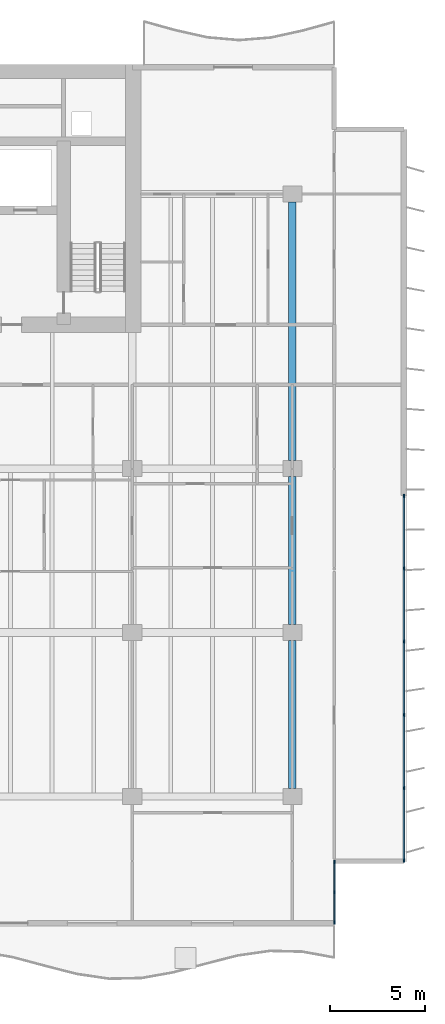
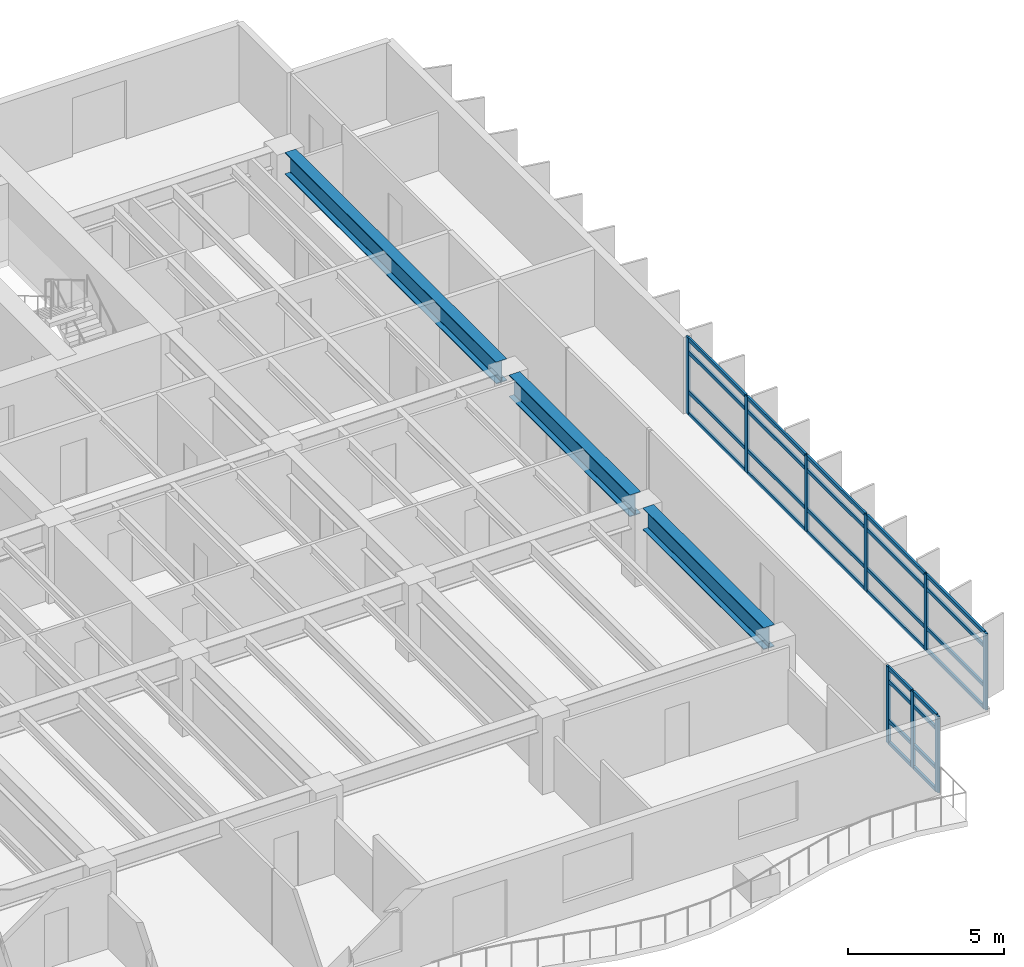
# One storey, part 4 of 19: 37 members, 3 beams, 2 elements without a shape of their own.
"""IFC4 building model written with IfcOpenShell, lengths in metres."""

from ifc_helpers import new_model, si_unit, direction, frame, origin, origin_2d, place, context, subcontext, project, spatial, rectangle, i_section, extrude, material, layer, layer_set, material_profile, profile_set, type_object, element, aggregate, save


model = new_model("IFC4")

# Units and contexts
model_context = context("Model", 3, precision=1e-05, world=origin(), true_north=direction((0.0, 1.0)))
body_context = subcontext(model_context, "Body", "Model", "MODEL_VIEW")
ifc_project = project(units=[si_unit("LENGTHUNIT", "METRE"), si_unit("AREAUNIT", "SQUARE_METRE"), si_unit("VOLUMEUNIT", "CUBIC_METRE"), si_unit("PLANEANGLEUNIT", "RADIAN"), si_unit("MASSUNIT", "GRAM", prefix="KILO")], contexts=[model_context])

# Site, building, storey
site_placement = place(None, origin())
site = spatial("IfcSite", under=ifc_project, at=site_placement, CompositionType="ELEMENT")
building_placement = place(site_placement, origin())
building = spatial("IfcBuilding", under=site, at=building_placement, Name="Caelmar Bay Residences", CompositionType="ELEMENT")
storey_placement = place(building_placement, frame((0.0, 0.0, 94.5)))
storey = spatial("IfcBuildingStorey", under=building, at=storey_placement, Name="L25", CompositionType="ELEMENT", Elevation=94.5)

# Beams
ifc_material_1 = material(Name="Steel ASTM A992 Grade 50", Category="steel")
ifc_material_profile_1 = material_profile(ifc_material_1, i_section(OverallWidth=0.40087890625, OverallDepth=0.861083984375, WebThickness=0.019775390625, FlangeThickness=0.032470703125, FilletRadius=0.017822265625, at=origin_2d()), Name="W33X221")
ifc_profile_set_1 = profile_set([ifc_material_profile_1], Name="Steel ASTM A992 Grade 50")
beam_type = type_object("IfcBeamType", Name="BM-GRD-W33X221", PredefinedType="BEAM", material=ifc_profile_set_1)
for number, where, z_axis, x_axis, name in (
    (1, (67.89990234375, 12.614990234375, 2.569580078125), (0.0, 1.0, 0.0), (-1.0, 0.0, 0.0), "L25 North-South Girder X=67.90 (12.2-20.8)"),
    (2, (67.89990234375, 21.215087890625, 2.569580078125), (0.0, 1.0, 0.0), (-1.0, 0.0, 0.0), "L25 North-South Girder X=67.90 (20.8-29.4)"),
):
    element("IfcBeam", number, at=place(storey_placement, frame(where, z_axis=z_axis, x_axis=x_axis)), inside=storey, type_object=beam_type, Name=name, PredefinedType="BEAM", context=body_context, shape_type="SweptSolid", body=[
        extrude(i_section(OverallWidth=0.40087890625, OverallDepth=0.861083984375, WebThickness=0.019775390625, FlangeThickness=0.032470703125, FilletRadius=0.017822265625, at=origin_2d()), origin(), (0.0, 0.0, 1.0), 7.77001953125),
    ])
beam_placement = place(storey_placement, frame((67.89990234375, 29.81494140625, 2.569580078125), z_axis=(0.0, 1.0, 0.0), x_axis=(-1.0, 0.0, 0.0)))
element("IfcBeam", 3, at=beam_placement, inside=storey, type_object=beam_type, Name="L25 North-South Girder X=67.90 (29.4-43.8)", PredefinedType="BEAM", context=body_context, shape_type="SweptSolid", body=[
    extrude(i_section(OverallWidth=0.40087890625, OverallDepth=0.861083984375, WebThickness=0.019775390625, FlangeThickness=0.032470703125, FilletRadius=0.017822265625, at=origin_2d()), origin(), (0.0, 0.0, 1.0), 13.570068359375),
])

# Curtain wall, members
ifc_material_2 = material(Name="Anodised bronze aluminium 6063-T6 and laminated glass", Category="aluminium")
ifc_layer_1 = layer(ifc_material_2, 0.179931640625)
ifc_layer_set_1 = layer_set([ifc_layer_1], Name="Anodised bronze aluminium 6063-T6 and laminated glass")
curtain_wall_type_1 = type_object("IfcCurtainWallType", Name="CW6-NTC", PredefinedType="NOTDEFINED", material=ifc_layer_set_1)
curtain_wall_1_placement = place(storey_placement, origin())
curtain_wall_1 = element("IfcCurtainWall", 4, at=curtain_wall_1_placement, inside=storey, type_object=curtain_wall_type_1, Name="CW6 curtain wall L25", PredefinedType="NOTDEFINED")
ifc_material_3 = material(Name="Anodised bronze aluminium 6063-T6", Category="aluminium")
ifc_material_profile_2 = material_profile(ifc_material_3, rectangle(XDim=0.080078125, YDim=0.179931640625, at=origin_2d()), Name="CWM-80X180")
ifc_profile_set_2 = profile_set([ifc_material_profile_2], Name="Anodised bronze aluminium 6063-T6")
member_type_1 = type_object("IfcMemberType", Name="CWM-180", PredefinedType="MULLION", material=ifc_profile_set_2)
member_1_placement = place(storey_placement, frame((70.10009765625, 5.590087890625, 0.0), z_axis=(0.0, 0.0, 1.0), x_axis=(-1.0, 0.0, 0.0)))
member_1 = element("IfcMember", 5, at=member_1_placement, type_object=member_type_1, Name="CW6 mullion 1", PredefinedType="MULLION", context=body_context, shape_type="SweptSolid", body=[
    extrude(rectangle(XDim=0.080078125, YDim=0.179931640625, at=origin_2d()), origin(), (0.0, 0.0, 1.0), 3.0),
])
member_2_placement = place(storey_placement, frame((70.10009765625, 7.175048828125, 0.0), z_axis=(0.0, 0.0, 1.0), x_axis=(-1.0, 0.0, 0.0)))
member_2 = element("IfcMember", 6, at=member_2_placement, type_object=member_type_1, Name="CW6 mullion 2", PredefinedType="MULLION", context=body_context, shape_type="SweptSolid", body=[
    extrude(rectangle(XDim=0.080078125, YDim=0.179931640625, at=origin_2d()), origin(), (0.0, 0.0, 1.0), 3.0),
])
member_3_placement = place(storey_placement, frame((70.10009765625, 8.760009765625, 0.0), z_axis=(0.0, 0.0, 1.0), x_axis=(-1.0, 0.0, 0.0)))
member_3 = element("IfcMember", 7, at=member_3_placement, type_object=member_type_1, Name="CW6 mullion 3", PredefinedType="MULLION", context=body_context, shape_type="SweptSolid", body=[
    extrude(rectangle(XDim=0.080078125, YDim=0.179931640625, at=origin_2d()), origin(), (0.0, 0.0, 1.0), 3.0),
])

ifc_layer_2 = layer(ifc_material_2, 0.179931640625)
ifc_layer_set_2 = layer_set([ifc_layer_2], Name="Anodised bronze aluminium 6063-T6 and laminated glass")
curtain_wall_type_2 = type_object("IfcCurtainWallType", Name="CW3-Z2", PredefinedType="NOTDEFINED", material=ifc_layer_set_2)
curtain_wall_2_placement = place(storey_placement, origin())
curtain_wall_2 = element("IfcCurtainWall", 8, at=curtain_wall_2_placement, inside=storey, type_object=curtain_wall_type_2, Name="CW3 curtain wall L25", PredefinedType="NOTDEFINED")
member_4_placement = place(storey_placement, frame((73.75, 27.9599609375, 0.0), z_axis=(0.0, 0.0, 1.0), x_axis=(1.0, 0.0, 0.0)))
member_4 = element("IfcMember", 9, at=member_4_placement, type_object=member_type_1, Name="CW3 mullion 1", PredefinedType="MULLION", context=body_context, shape_type="SweptSolid", body=[
    extrude(rectangle(XDim=0.080078125, YDim=0.179931640625, at=origin_2d()), origin(), (0.0, 0.0, 1.0), 3.0),
])
member_5_placement = place(storey_placement, frame((73.75, 24.159912109375, 0.0), z_axis=(0.0, 0.0, 1.0), x_axis=(1.0, 0.0, 0.0)))
member_5 = element("IfcMember", 10, at=member_5_placement, type_object=member_type_1, Name="CW3 mullion 2", PredefinedType="MULLION", context=body_context, shape_type="SweptSolid", body=[
    extrude(rectangle(XDim=0.080078125, YDim=0.179931640625, at=origin_2d()), origin(), (0.0, 0.0, 1.0), 3.0),
])
member_6_placement = place(storey_placement, frame((73.75, 20.320068359375, 0.0), z_axis=(0.0, 0.0, 1.0), x_axis=(1.0, 0.0, 0.0)))
member_6 = element("IfcMember", 11, at=member_6_placement, type_object=member_type_1, Name="CW3 mullion 3", PredefinedType="MULLION", context=body_context, shape_type="SweptSolid", body=[
    extrude(rectangle(XDim=0.080078125, YDim=0.179931640625, at=origin_2d()), origin(), (0.0, 0.0, 1.0), 3.0),
])
member_7_placement = place(storey_placement, frame((73.75, 16.47998046875, 0.0), z_axis=(0.0, 0.0, 1.0), x_axis=(1.0, 0.0, 0.0)))
member_7 = element("IfcMember", 12, at=member_7_placement, type_object=member_type_1, Name="CW3 mullion 4", PredefinedType="MULLION", context=body_context, shape_type="SweptSolid", body=[
    extrude(rectangle(XDim=0.080078125, YDim=0.179931640625, at=origin_2d()), origin(), (0.0, 0.0, 1.0), 3.0),
])
member_8_placement = place(storey_placement, frame((73.75, 12.639892578125, 0.0), z_axis=(0.0, 0.0, 1.0), x_axis=(1.0, 0.0, 0.0)))
member_8 = element("IfcMember", 13, at=member_8_placement, type_object=member_type_1, Name="CW3 mullion 5", PredefinedType="MULLION", context=body_context, shape_type="SweptSolid", body=[
    extrude(rectangle(XDim=0.080078125, YDim=0.179931640625, at=origin_2d()), origin(), (0.0, 0.0, 1.0), 3.0),
])
member_9_placement = place(storey_placement, frame((73.75, 8.840087890625, 0.0), z_axis=(0.0, 0.0, 1.0), x_axis=(1.0, 0.0, 0.0)))
member_9 = element("IfcMember", 14, at=member_9_placement, type_object=member_type_1, Name="CW3 mullion 6", PredefinedType="MULLION", context=body_context, shape_type="SweptSolid", body=[
    extrude(rectangle(XDim=0.080078125, YDim=0.179931640625, at=origin_2d()), origin(), (0.0, 0.0, 1.0), 3.0),
])

# Member
ifc_material_profile_3 = material_profile(ifc_material_3, rectangle(XDim=0.080078125, YDim=0.139892578125, at=origin_2d()), Name="CWT-80X140")
ifc_profile_set_3 = profile_set([ifc_material_profile_3], Name="Anodised bronze aluminium 6063-T6")
member_type_2 = type_object("IfcMemberType", Name="CWT-140", PredefinedType="NOTDEFINED", material=ifc_profile_set_3)
member_10_placement = place(storey_placement, frame((70.10009765625, 5.6298828125, 0.0400390625), z_axis=(0.0, 1.0, 0.0), x_axis=(-1.0, 0.0, 0.0)))
member_10 = element("IfcMember", 15, at=member_10_placement, type_object=member_type_2, Name="CW6 transom 1.1", ObjectType="TRANSOM", PredefinedType="USERDEFINED", context=body_context, shape_type="SweptSolid", body=[
    extrude(rectangle(XDim=0.080078125, YDim=0.139892578125, at=origin_2d()), origin(), (0.0, 0.0, 1.0), 1.505126953125),
])

member_11_placement = place(storey_placement, frame((70.10009765625, 5.6298828125, 0.89990234375), z_axis=(0.0, 1.0, 0.0), x_axis=(-1.0, 0.0, 0.0)))
member_11 = element("IfcMember", 16, at=member_11_placement, type_object=member_type_2, Name="CW6 transom 1.2", ObjectType="TRANSOM", PredefinedType="USERDEFINED", context=body_context, shape_type="SweptSolid", body=[
    extrude(rectangle(XDim=0.080078125, YDim=0.139892578125, at=origin_2d()), origin(), (0.0, 0.0, 1.0), 1.505126953125),
])

member_12_placement = place(storey_placement, frame((70.10009765625, 5.6298828125, 2.449951171875), z_axis=(0.0, 1.0, 0.0), x_axis=(-1.0, 0.0, 0.0)))
member_12 = element("IfcMember", 17, at=member_12_placement, type_object=member_type_2, Name="CW6 transom 1.3", ObjectType="TRANSOM", PredefinedType="USERDEFINED", context=body_context, shape_type="SweptSolid", body=[
    extrude(rectangle(XDim=0.080078125, YDim=0.139892578125, at=origin_2d()), origin(), (0.0, 0.0, 1.0), 1.505126953125),
])

member_13_placement = place(storey_placement, frame((70.10009765625, 5.6298828125, 2.9599609375), z_axis=(0.0, 1.0, 0.0), x_axis=(-1.0, 0.0, 0.0)))
member_13 = element("IfcMember", 18, at=member_13_placement, type_object=member_type_2, Name="CW6 transom 1.4", ObjectType="TRANSOM", PredefinedType="USERDEFINED", context=body_context, shape_type="SweptSolid", body=[
    extrude(rectangle(XDim=0.080078125, YDim=0.139892578125, at=origin_2d()), origin(), (0.0, 0.0, 1.0), 1.505126953125),
])

member_14_placement = place(storey_placement, frame((70.10009765625, 7.215087890625, 0.0400390625), z_axis=(0.0, 1.0, 0.0), x_axis=(-1.0, 0.0, 0.0)))
member_14 = element("IfcMember", 19, at=member_14_placement, type_object=member_type_2, Name="CW6 transom 2.1", ObjectType="TRANSOM", PredefinedType="USERDEFINED", context=body_context, shape_type="SweptSolid", body=[
    extrude(rectangle(XDim=0.080078125, YDim=0.139892578125, at=origin_2d()), origin(), (0.0, 0.0, 1.0), 1.5048828125),
])

member_15_placement = place(storey_placement, frame((70.10009765625, 7.215087890625, 0.89990234375), z_axis=(0.0, 1.0, 0.0), x_axis=(-1.0, 0.0, 0.0)))
member_15 = element("IfcMember", 20, at=member_15_placement, type_object=member_type_2, Name="CW6 transom 2.2", ObjectType="TRANSOM", PredefinedType="USERDEFINED", context=body_context, shape_type="SweptSolid", body=[
    extrude(rectangle(XDim=0.080078125, YDim=0.139892578125, at=origin_2d()), origin(), (0.0, 0.0, 1.0), 1.5048828125),
])

member_16_placement = place(storey_placement, frame((70.10009765625, 7.215087890625, 2.449951171875), z_axis=(0.0, 1.0, 0.0), x_axis=(-1.0, 0.0, 0.0)))
member_16 = element("IfcMember", 21, at=member_16_placement, type_object=member_type_2, Name="CW6 transom 2.3", ObjectType="TRANSOM", PredefinedType="USERDEFINED", context=body_context, shape_type="SweptSolid", body=[
    extrude(rectangle(XDim=0.080078125, YDim=0.139892578125, at=origin_2d()), origin(), (0.0, 0.0, 1.0), 1.5048828125),
])

member_17_placement = place(storey_placement, frame((70.10009765625, 7.215087890625, 2.9599609375), z_axis=(0.0, 1.0, 0.0), x_axis=(-1.0, 0.0, 0.0)))
member_17 = element("IfcMember", 22, at=member_17_placement, type_object=member_type_2, Name="CW6 transom 2.4", ObjectType="TRANSOM", PredefinedType="USERDEFINED", context=body_context, shape_type="SweptSolid", body=[
    extrude(rectangle(XDim=0.080078125, YDim=0.139892578125, at=origin_2d()), origin(), (0.0, 0.0, 1.0), 1.5048828125),
])

aggregate(curtain_wall_1, [member_1, member_2, member_3, member_10, member_11, member_12, member_13, member_14, member_15, member_16, member_17])

member_18_placement = place(storey_placement, frame((73.75, 27.919921875, 0.0400390625), z_axis=(0.0, -1.0, 0.0), x_axis=(1.0, 0.0, 0.0)))
member_18 = element("IfcMember", 23, at=member_18_placement, type_object=member_type_2, Name="CW3 transom 1.1", ObjectType="TRANSOM", PredefinedType="USERDEFINED", context=body_context, shape_type="SweptSolid", body=[
    extrude(rectangle(XDim=0.080078125, YDim=0.139892578125, at=origin_2d()), origin(), (0.0, 0.0, 1.0), 3.719970703125),
])

member_19_placement = place(storey_placement, frame((73.75, 27.919921875, 0.89990234375), z_axis=(0.0, -1.0, 0.0), x_axis=(1.0, 0.0, 0.0)))
member_19 = element("IfcMember", 24, at=member_19_placement, type_object=member_type_2, Name="CW3 transom 1.2", ObjectType="TRANSOM", PredefinedType="USERDEFINED", context=body_context, shape_type="SweptSolid", body=[
    extrude(rectangle(XDim=0.080078125, YDim=0.139892578125, at=origin_2d()), origin(), (0.0, 0.0, 1.0), 3.719970703125),
])

member_20_placement = place(storey_placement, frame((73.75, 27.919921875, 2.449951171875), z_axis=(0.0, -1.0, 0.0), x_axis=(1.0, 0.0, 0.0)))
member_20 = element("IfcMember", 25, at=member_20_placement, type_object=member_type_2, Name="CW3 transom 1.3", ObjectType="TRANSOM", PredefinedType="USERDEFINED", context=body_context, shape_type="SweptSolid", body=[
    extrude(rectangle(XDim=0.080078125, YDim=0.139892578125, at=origin_2d()), origin(), (0.0, 0.0, 1.0), 3.719970703125),
])

member_21_placement = place(storey_placement, frame((73.75, 27.919921875, 2.9599609375), z_axis=(0.0, -1.0, 0.0), x_axis=(1.0, 0.0, 0.0)))
member_21 = element("IfcMember", 26, at=member_21_placement, type_object=member_type_2, Name="CW3 transom 1.4", ObjectType="TRANSOM", PredefinedType="USERDEFINED", context=body_context, shape_type="SweptSolid", body=[
    extrude(rectangle(XDim=0.080078125, YDim=0.139892578125, at=origin_2d()), origin(), (0.0, 0.0, 1.0), 3.719970703125),
])

member_22_placement = place(storey_placement, frame((73.75, 24.1201171875, 0.0400390625), z_axis=(0.0, -1.0, 0.0), x_axis=(1.0, 0.0, 0.0)))
member_22 = element("IfcMember", 27, at=member_22_placement, type_object=member_type_2, Name="CW3 transom 2.1", ObjectType="TRANSOM", PredefinedType="USERDEFINED", context=body_context, shape_type="SweptSolid", body=[
    extrude(rectangle(XDim=0.080078125, YDim=0.139892578125, at=origin_2d()), origin(), (0.0, 0.0, 1.0), 3.760009765625),
])

member_23_placement = place(storey_placement, frame((73.75, 24.1201171875, 0.89990234375), z_axis=(0.0, -1.0, 0.0), x_axis=(1.0, 0.0, 0.0)))
member_23 = element("IfcMember", 28, at=member_23_placement, type_object=member_type_2, Name="CW3 transom 2.2", ObjectType="TRANSOM", PredefinedType="USERDEFINED", context=body_context, shape_type="SweptSolid", body=[
    extrude(rectangle(XDim=0.080078125, YDim=0.139892578125, at=origin_2d()), origin(), (0.0, 0.0, 1.0), 3.760009765625),
])

member_24_placement = place(storey_placement, frame((73.75, 24.1201171875, 2.449951171875), z_axis=(0.0, -1.0, 0.0), x_axis=(1.0, 0.0, 0.0)))
member_24 = element("IfcMember", 29, at=member_24_placement, type_object=member_type_2, Name="CW3 transom 2.3", ObjectType="TRANSOM", PredefinedType="USERDEFINED", context=body_context, shape_type="SweptSolid", body=[
    extrude(rectangle(XDim=0.080078125, YDim=0.139892578125, at=origin_2d()), origin(), (0.0, 0.0, 1.0), 3.760009765625),
])

member_25_placement = place(storey_placement, frame((73.75, 24.1201171875, 2.9599609375), z_axis=(0.0, -1.0, 0.0), x_axis=(1.0, 0.0, 0.0)))
member_25 = element("IfcMember", 30, at=member_25_placement, type_object=member_type_2, Name="CW3 transom 2.4", ObjectType="TRANSOM", PredefinedType="USERDEFINED", context=body_context, shape_type="SweptSolid", body=[
    extrude(rectangle(XDim=0.080078125, YDim=0.139892578125, at=origin_2d()), origin(), (0.0, 0.0, 1.0), 3.760009765625),
])

member_26_placement = place(storey_placement, frame((73.75, 20.280029296875, 0.0400390625), z_axis=(0.0, -1.0, 0.0), x_axis=(1.0, 0.0, 0.0)))
member_26 = element("IfcMember", 31, at=member_26_placement, type_object=member_type_2, Name="CW3 transom 3.1", ObjectType="TRANSOM", PredefinedType="USERDEFINED", context=body_context, shape_type="SweptSolid", body=[
    extrude(rectangle(XDim=0.080078125, YDim=0.139892578125, at=origin_2d()), origin(), (0.0, 0.0, 1.0), 3.760009765625),
])

member_27_placement = place(storey_placement, frame((73.75, 20.280029296875, 0.89990234375), z_axis=(0.0, -1.0, 0.0), x_axis=(1.0, 0.0, 0.0)))
member_27 = element("IfcMember", 32, at=member_27_placement, type_object=member_type_2, Name="CW3 transom 3.2", ObjectType="TRANSOM", PredefinedType="USERDEFINED", context=body_context, shape_type="SweptSolid", body=[
    extrude(rectangle(XDim=0.080078125, YDim=0.139892578125, at=origin_2d()), origin(), (0.0, 0.0, 1.0), 3.760009765625),
])

member_28_placement = place(storey_placement, frame((73.75, 20.280029296875, 2.449951171875), z_axis=(0.0, -1.0, 0.0), x_axis=(1.0, 0.0, 0.0)))
member_28 = element("IfcMember", 33, at=member_28_placement, type_object=member_type_2, Name="CW3 transom 3.3", ObjectType="TRANSOM", PredefinedType="USERDEFINED", context=body_context, shape_type="SweptSolid", body=[
    extrude(rectangle(XDim=0.080078125, YDim=0.139892578125, at=origin_2d()), origin(), (0.0, 0.0, 1.0), 3.760009765625),
])

member_29_placement = place(storey_placement, frame((73.75, 20.280029296875, 2.9599609375), z_axis=(0.0, -1.0, 0.0), x_axis=(1.0, 0.0, 0.0)))
member_29 = element("IfcMember", 34, at=member_29_placement, type_object=member_type_2, Name="CW3 transom 3.4", ObjectType="TRANSOM", PredefinedType="USERDEFINED", context=body_context, shape_type="SweptSolid", body=[
    extrude(rectangle(XDim=0.080078125, YDim=0.139892578125, at=origin_2d()), origin(), (0.0, 0.0, 1.0), 3.760009765625),
])

member_30_placement = place(storey_placement, frame((73.75, 16.43994140625, 0.0400390625), z_axis=(0.0, -1.0, 0.0), x_axis=(1.0, 0.0, 0.0)))
member_30 = element("IfcMember", 35, at=member_30_placement, type_object=member_type_2, Name="CW3 transom 4.1", ObjectType="TRANSOM", PredefinedType="USERDEFINED", context=body_context, shape_type="SweptSolid", body=[
    extrude(rectangle(XDim=0.080078125, YDim=0.139892578125, at=origin_2d()), origin(), (0.0, 0.0, 1.0), 3.760009765625),
])

member_31_placement = place(storey_placement, frame((73.75, 16.43994140625, 0.89990234375), z_axis=(0.0, -1.0, 0.0), x_axis=(1.0, 0.0, 0.0)))
member_31 = element("IfcMember", 36, at=member_31_placement, type_object=member_type_2, Name="CW3 transom 4.2", ObjectType="TRANSOM", PredefinedType="USERDEFINED", context=body_context, shape_type="SweptSolid", body=[
    extrude(rectangle(XDim=0.080078125, YDim=0.139892578125, at=origin_2d()), origin(), (0.0, 0.0, 1.0), 3.760009765625),
])

member_32_placement = place(storey_placement, frame((73.75, 16.43994140625, 2.449951171875), z_axis=(0.0, -1.0, 0.0), x_axis=(1.0, 0.0, 0.0)))
member_32 = element("IfcMember", 37, at=member_32_placement, type_object=member_type_2, Name="CW3 transom 4.3", ObjectType="TRANSOM", PredefinedType="USERDEFINED", context=body_context, shape_type="SweptSolid", body=[
    extrude(rectangle(XDim=0.080078125, YDim=0.139892578125, at=origin_2d()), origin(), (0.0, 0.0, 1.0), 3.760009765625),
])

member_33_placement = place(storey_placement, frame((73.75, 16.43994140625, 2.9599609375), z_axis=(0.0, -1.0, 0.0), x_axis=(1.0, 0.0, 0.0)))
member_33 = element("IfcMember", 38, at=member_33_placement, type_object=member_type_2, Name="CW3 transom 4.4", ObjectType="TRANSOM", PredefinedType="USERDEFINED", context=body_context, shape_type="SweptSolid", body=[
    extrude(rectangle(XDim=0.080078125, YDim=0.139892578125, at=origin_2d()), origin(), (0.0, 0.0, 1.0), 3.760009765625),
])

member_34_placement = place(storey_placement, frame((73.75, 12.60009765625, 0.0400390625), z_axis=(0.0, -1.0, 0.0), x_axis=(1.0, 0.0, 0.0)))
member_34 = element("IfcMember", 39, at=member_34_placement, type_object=member_type_2, Name="CW3 transom 5.1", ObjectType="TRANSOM", PredefinedType="USERDEFINED", context=body_context, shape_type="SweptSolid", body=[
    extrude(rectangle(XDim=0.080078125, YDim=0.139892578125, at=origin_2d()), origin(), (0.0, 0.0, 1.0), 3.72021484375),
])

member_35_placement = place(storey_placement, frame((73.75, 12.60009765625, 0.89990234375), z_axis=(0.0, -1.0, 0.0), x_axis=(1.0, 0.0, 0.0)))
member_35 = element("IfcMember", 40, at=member_35_placement, type_object=member_type_2, Name="CW3 transom 5.2", ObjectType="TRANSOM", PredefinedType="USERDEFINED", context=body_context, shape_type="SweptSolid", body=[
    extrude(rectangle(XDim=0.080078125, YDim=0.139892578125, at=origin_2d()), origin(), (0.0, 0.0, 1.0), 3.72021484375),
])

member_36_placement = place(storey_placement, frame((73.75, 12.60009765625, 2.449951171875), z_axis=(0.0, -1.0, 0.0), x_axis=(1.0, 0.0, 0.0)))
member_36 = element("IfcMember", 41, at=member_36_placement, type_object=member_type_2, Name="CW3 transom 5.3", ObjectType="TRANSOM", PredefinedType="USERDEFINED", context=body_context, shape_type="SweptSolid", body=[
    extrude(rectangle(XDim=0.080078125, YDim=0.139892578125, at=origin_2d()), origin(), (0.0, 0.0, 1.0), 3.72021484375),
])

member_37_placement = place(storey_placement, frame((73.75, 12.60009765625, 2.9599609375), z_axis=(0.0, -1.0, 0.0), x_axis=(1.0, 0.0, 0.0)))
member_37 = element("IfcMember", 42, at=member_37_placement, type_object=member_type_2, Name="CW3 transom 5.4", ObjectType="TRANSOM", PredefinedType="USERDEFINED", context=body_context, shape_type="SweptSolid", body=[
    extrude(rectangle(XDim=0.080078125, YDim=0.139892578125, at=origin_2d()), origin(), (0.0, 0.0, 1.0), 3.72021484375),
])

aggregate(curtain_wall_2, [member_4, member_5, member_6, member_7, member_8, member_9, member_18, member_19, member_20, member_21, member_22, member_23, member_24, member_25, member_26, member_27, member_28, member_29, member_30, member_31, member_32, member_33, member_34, member_35, member_36, member_37])

save(model, "model.ifc")
